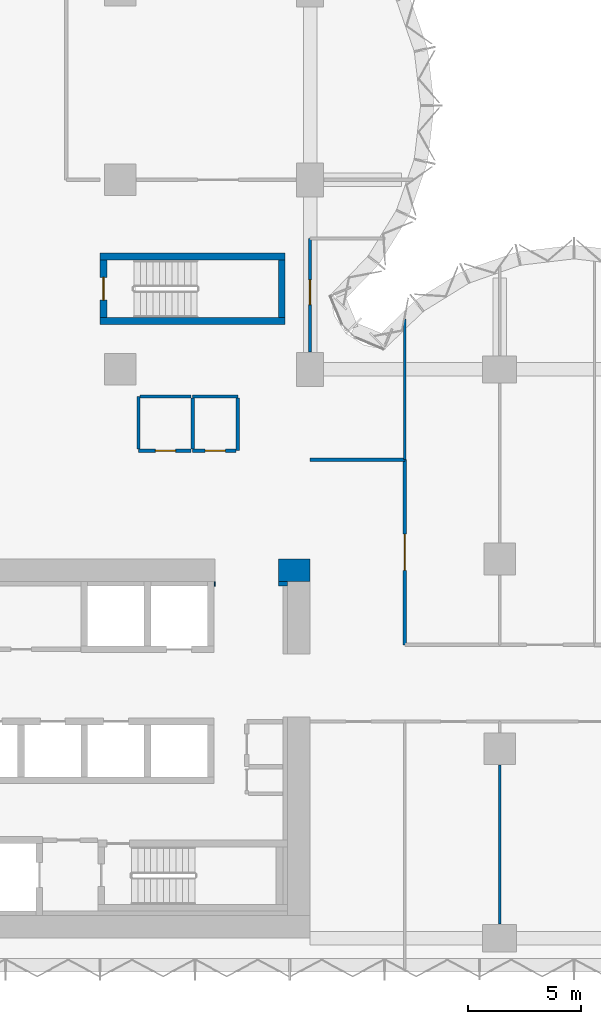
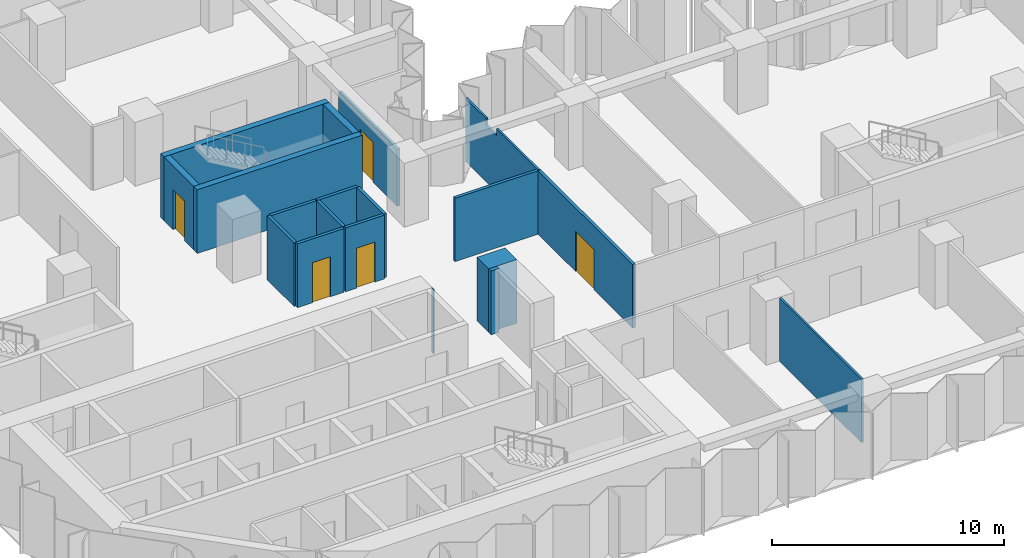
# One storey, part 9 of 15: 19 walls, 5 doors, 5 openings.
"""IFC4 building model written with IfcOpenShell, lengths in metres."""

from ifc_helpers import new_model, si_unit, direction, frame, frame_2d, origin, place, context, subcontext, project, spatial, polyline, rectangle, outline, extrude, material, layer, layer_set, type_object, element, fill, save


model = new_model("IFC4")

# Units and contexts
model_context = context("Model", 3, precision=1e-05, world=origin(), true_north=direction((0.0, 1.0)))
body_context = subcontext(model_context, "Body", "Model", "MODEL_VIEW")
ifc_project = project(units=[si_unit("LENGTHUNIT", "METRE"), si_unit("AREAUNIT", "SQUARE_METRE"), si_unit("VOLUMEUNIT", "CUBIC_METRE"), si_unit("PLANEANGLEUNIT", "RADIAN"), si_unit("MASSUNIT", "GRAM", prefix="KILO")], contexts=[model_context])

# Site, building, storey
site_placement = place(None, origin())
site = spatial("IfcSite", under=ifc_project, at=site_placement, CompositionType="ELEMENT")
building_placement = place(site_placement, origin())
building = spatial("IfcBuilding", under=site, at=building_placement, Name="Brevane Broadcast Tower", CompositionType="ELEMENT")
storey_placement = place(building_placement, frame((0.0, 0.0, 58.10009765625)))
storey = spatial("IfcBuildingStorey", under=building, at=storey_placement, Name="L12", CompositionType="ELEMENT", Elevation=58.10009765625)

# Walls
ifc_material_1 = material(Name="Concrete C32/40", Category="concrete")
ifc_layer_1 = layer(ifc_material_1, 0.199951171875)
ifc_layer_set_1 = layer_set([ifc_layer_1], Name="Core chase wall 200 mm")
wall_type_1 = type_object("IfcWallType", Name="Core chase wall 200 mm", PredefinedType="PARTITIONING", material=ifc_layer_set_1)
wall_1_placement = place(storey_placement, frame((23.800048828125, 15.699951171875, 0.0), z_axis=(0.0, 0.0, 1.0), x_axis=(1.0, 0.0, 0.0)))
element("IfcWall", 1, at=wall_1_placement, inside=storey, type_object=wall_type_1, Name="L12 chase wall LN2", PredefinedType="PARTITIONING", context=body_context, shape_type="SweptSolid", body=[
    extrude(rectangle(XDim=0.39990234375, YDim=0.199951171875, at=frame_2d((0.199951171875, 0.0))), origin(), (0.0, 0.0, 1.0), 3.349853515625),
])
wall_2_placement = place(storey_placement, frame((20.949951171875, 15.699951171875, 0.0), z_axis=(0.0, 0.0, 1.0), x_axis=(1.0, 0.0, 0.0)))
element("IfcWall", 2, at=wall_2_placement, inside=storey, type_object=wall_type_1, Name="L12 chase wall LN1-2-2-2-2", PredefinedType="PARTITIONING", context=body_context, shape_type="SweptSolid", body=[
    extrude(rectangle(XDim=0.050048828125, YDim=0.199951171875, at=frame_2d((0.02490234375, 0.0))), origin(), (0.0, 0.0, 1.0), 3.349853515625),
])
ifc_material_2 = material(Name="Gypsum board on steel studs", Category="steel")
ifc_layer_2 = layer(ifc_material_2, 0.14990234375)
ifc_layer_set_2 = layer_set([ifc_layer_2], Name="Core fire partition 150 mm")
wall_type_2 = type_object("IfcWallType", Name="Core fire partition 150 mm", PredefinedType="PARTITIONING", material=ifc_layer_set_2)
wall_3_placement = place(storey_placement, frame((20.0, 24.0, 0.0), z_axis=(0.0, 0.0, 1.0), x_axis=(1.0, 0.0, 0.0)))
element("IfcWall", 3, at=wall_3_placement, inside=storey, type_object=wall_type_2, Name="L12 partition wall P15", PredefinedType="PARTITIONING", context=body_context, shape_type="SweptSolid", body=[
    extrude(rectangle(XDim=2.0, YDim=0.14990234375, at=frame_2d((1.0, 0.0))), origin(), (0.0, 0.0, 1.0), 3.349853515625),
])
wall_4_placement = place(storey_placement, frame((22.0, 23.925048828125, 0.0), z_axis=(0.0, 0.0, 1.0), x_axis=(0.0, -1.0, 0.0)))
element("IfcWall", 4, at=wall_4_placement, inside=storey, type_object=wall_type_2, Name="L12 partition wall P16", PredefinedType="PARTITIONING", context=body_context, shape_type="SweptSolid", body=[
    extrude(rectangle(XDim=2.324951171875, YDim=0.14990234375, at=frame_2d((1.16259765625, 0.0))), origin(), (0.0, 0.0, 1.0), 3.349853515625),
])

# Wall, opening, door
wall_5_placement = place(storey_placement, frame((21.925048828125, 21.60009765625, 0.0), z_axis=(0.0, 0.0, 1.0), x_axis=(-1.0, 0.0, 0.0)))
wall_5 = element("IfcWall", 5, at=wall_5_placement, inside=storey, type_object=wall_type_2, Name="L12 partition wall P17", PredefinedType="PARTITIONING", context=body_context, shape_type="SweptSolid", body=[
    extrude(rectangle(XDim=1.925048828125, YDim=0.14990234375, at=frame_2d((0.96240234375, 0.0))), origin(), (0.0, 0.0, 1.0), 3.349853515625),
])
opening_1_placement = place(wall_5_placement, frame((0.47509765625, 0.0, 0.0)))
opening_1 = element("IfcOpeningElement", 6, at=opening_1_placement, cuts=wall_5, Name="Opening L12-K24", PredefinedType="OPENING", context=body_context, shape_type="SweptSolid", body=[
    extrude(rectangle(XDim=0.89990234375, YDim=2.10009765625, at=frame_2d((0.449951171875, 1.050048828125))), frame((0.0, 0.0849609375, 0.0), z_axis=(0.0, -1.0, 0.0), x_axis=(1.0, 0.0, 0.0)), (0.0, 0.0, 1.0), 0.169921875),
])
ifc_material_3 = material(Name="Timber", Category="wood")
door_type_1 = type_object("IfcDoorType", Name="Toilet door 900 x 2100", OperationType="SINGLE_SWING_LEFT", PredefinedType="DOOR", material=ifc_material_3)
door_1_placement = place(opening_1_placement, origin())
door_1 = element("IfcDoor", 7, at=door_1_placement, inside=storey, type_object=door_type_1, Name="Door L12-K24", OperationType="SINGLE_SWING_LEFT", OverallHeight=2.10009765625, OverallWidth=0.89990234375, PredefinedType="DOOR", context=body_context, shape_type="SweptSolid", body=[
    extrude(rectangle(XDim=0.89990234375, YDim=2.10009765625, at=frame_2d((0.449951171875, 1.050048828125))), frame((0.0, 0.02490234375, 0.0), z_axis=(0.0, -1.0, 0.0), x_axis=(1.0, 0.0, 0.0)), (0.0, 0.0, 1.0), 0.050048828125),
])
fill(opening_1, door_1)

# Wall
wall_6_placement = place(storey_placement, frame((20.0, 21.675048828125, 0.0), z_axis=(0.0, 0.0, 1.0), x_axis=(0.0, 1.0, 0.0)))
element("IfcWall", 8, at=wall_6_placement, inside=storey, type_object=wall_type_2, Name="L12 partition wall P18", PredefinedType="PARTITIONING", context=body_context, shape_type="SweptSolid", body=[
    extrude(rectangle(XDim=2.25, YDim=0.14990234375, at=frame_2d((1.125, 0.0))), origin(), (0.0, 0.0, 1.0), 3.349853515625),
])

# Wall, opening, door
wall_7_placement = place(storey_placement, frame((19.925048828125, 21.60009765625, 0.0), z_axis=(0.0, 0.0, 1.0), x_axis=(-1.0, 0.0, 0.0)))
wall_7 = element("IfcWall", 9, at=wall_7_placement, inside=storey, type_object=wall_type_2, Name="L12 partition wall P19", PredefinedType="PARTITIONING", context=body_context, shape_type="SweptSolid", body=[
    extrude(rectangle(XDim=2.324951171875, YDim=0.14990234375, at=frame_2d((1.16259765625, 0.0))), origin(), (0.0, 0.0, 1.0), 3.349853515625),
])
opening_2_placement = place(wall_7_placement, frame((0.675048828125, 0.0, 0.0)))
opening_2 = element("IfcOpeningElement", 10, at=opening_2_placement, cuts=wall_7, Name="Opening L12-K25", PredefinedType="OPENING", context=body_context, shape_type="SweptSolid", body=[
    extrude(rectangle(XDim=0.89990234375, YDim=2.10009765625, at=frame_2d((0.449951171875, 1.050048828125))), frame((0.0, 0.0849609375, 0.0), z_axis=(0.0, -1.0, 0.0), x_axis=(1.0, 0.0, 0.0)), (0.0, 0.0, 1.0), 0.169921875),
])
ifc_material_4 = material(Name="Steel", Category="steel")
door_type_2 = type_object("IfcDoorType", Name="Service room door 900 x 2100", OperationType="SINGLE_SWING_LEFT", PredefinedType="DOOR", material=ifc_material_4)
door_2_placement = place(opening_2_placement, origin())
door_2 = element("IfcDoor", 11, at=door_2_placement, inside=storey, type_object=door_type_2, Name="Door L12-K25", OperationType="SINGLE_SWING_RIGHT", OverallHeight=2.10009765625, OverallWidth=0.89990234375, PredefinedType="DOOR", context=body_context, shape_type="SweptSolid", body=[
    extrude(rectangle(XDim=0.89990234375, YDim=2.10009765625, at=frame_2d((0.449951171875, 1.050048828125))), frame((0.0, 0.02490234375, 0.0), z_axis=(0.0, -1.0, 0.0), x_axis=(1.0, 0.0, 0.0)), (0.0, 0.0, 1.0), 0.050048828125),
])
fill(opening_2, door_2)

# Walls
wall_8_placement = place(storey_placement, frame((17.60009765625, 21.675048828125, 0.0), z_axis=(0.0, 0.0, 1.0), x_axis=(0.0, 1.0, 0.0)))
element("IfcWall", 12, at=wall_8_placement, inside=storey, type_object=wall_type_2, Name="L12 partition wall P20", PredefinedType="PARTITIONING", context=body_context, shape_type="SweptSolid", body=[
    extrude(rectangle(XDim=2.324951171875, YDim=0.14990234375, at=frame_2d((1.16259765625, 0.0))), origin(), (0.0, 0.0, 1.0), 3.349853515625),
])
wall_9_placement = place(storey_placement, frame((17.675048828125, 24.0, 0.0), z_axis=(0.0, 0.0, 1.0), x_axis=(1.0, 0.0, 0.0)))
element("IfcWall", 13, at=wall_9_placement, inside=storey, type_object=wall_type_2, Name="L12 partition wall P21", PredefinedType="PARTITIONING", context=body_context, shape_type="SweptSolid", body=[
    extrude(rectangle(XDim=2.25, YDim=0.14990234375, at=frame_2d((1.125, 0.0))), origin(), (0.0, 0.0, 1.0), 3.349853515625),
])
ifc_material_5 = material(Name="Concrete C80/95", Category="concrete")
ifc_layer_3 = layer(ifc_material_5, 1.0)
ifc_layer_set_3 = layer_set([ifc_layer_3], Name="Core wall 1000 mm C80/95")
wall_type_3 = type_object("IfcWallType", Name="Core wall 1000 mm C80/95", PredefinedType="SHEAR", material=ifc_layer_set_3)
wall_10_placement = place(storey_placement, frame((23.800048828125, 16.300048828125, 0.0), z_axis=(0.0, 0.0, 1.0), x_axis=(1.0, 0.0, 0.0)))
element("IfcWall", 14, at=wall_10_placement, inside=storey, type_object=wall_type_3, Name="L12 outer wall WN2", PredefinedType="SHEAR", context=body_context, shape_type="SweptSolid", body=[
    extrude(rectangle(XDim=1.39990234375, YDim=1.0, at=frame_2d((0.699951171875, 0.0))), origin(), (0.0, 0.0, 1.0), 3.349853515625),
])
ifc_layer_4 = layer(ifc_material_5, 0.300048828125)
ifc_layer_set_4 = layer_set([ifc_layer_4], Name="Core wall 300 mm C80/95")
wall_type_4 = type_object("IfcWallType", Name="Core wall 300 mm C80/95", PredefinedType="SHEAR", material=ifc_layer_set_4)
for number, where, z_axis, x_axis, name in (
    (15, (15.89990234375, 27.35009765625, 0.0), (0.0, 0.0, 1.0), (1.0, 0.0, 0.0), "L12 stair wall ST-3-S"),
    (16, (15.89990234375, 30.199951171875, 0.0), (0.0, 0.0, 1.0), (1.0, 0.0, 0.0), "L12 stair wall ST-3-N"),
):
    element("IfcWall", number, at=place(storey_placement, frame(where, z_axis=z_axis, x_axis=x_axis)), inside=storey, type_object=wall_type_4, Name=name, PredefinedType="SHEAR", context=body_context, shape_type="SweptSolid", body=[
        extrude(rectangle(XDim=8.2001953125, YDim=0.300048828125, at=frame_2d((4.10009765625, 0.0))), origin(), (0.0, 0.0, 1.0), 3.349853515625),
    ])

# Wall, opening, door
wall_11_placement = place(storey_placement, frame((16.050048828125, 27.5, 0.0), z_axis=(0.0, 0.0, 1.0), x_axis=(0.0, 1.0, 0.0)))
wall_11 = element("IfcWall", 17, at=wall_11_placement, inside=storey, type_object=wall_type_4, Name="L12 stair wall ST-3-W", PredefinedType="SHEAR", context=body_context, shape_type="SweptSolid", body=[
    extrude(rectangle(XDim=2.550048828125, YDim=0.300048828125, at=frame_2d((1.27490234375, 0.0))), origin(), (0.0, 0.0, 1.0), 3.349853515625),
])
opening_3_placement = place(wall_11_placement, frame((0.77490234375, 0.0, 0.0)))
opening_3 = element("IfcOpeningElement", 18, at=opening_3_placement, cuts=wall_11, Name="Opening L12-K14", PredefinedType="OPENING", context=body_context, shape_type="SweptSolid", body=[
    extrude(rectangle(XDim=1.0, YDim=2.10009765625, at=frame_2d((0.5, 1.050048828125))), frame((0.0, 0.159912109375, 0.0), z_axis=(0.0, -1.0, 0.0), x_axis=(1.0, 0.0, 0.0)), (0.0, 0.0, 1.0), 0.320068359375),
])
door_type_3 = type_object("IfcDoorType", Name="Stair door 1000 x 2100", OperationType="SINGLE_SWING_LEFT", PredefinedType="DOOR", material=ifc_material_4)
door_3_placement = place(opening_3_placement, origin())
door_3 = element("IfcDoor", 19, at=door_3_placement, inside=storey, type_object=door_type_3, Name="Door L12-K14", OperationType="SINGLE_SWING_LEFT", OverallHeight=2.10009765625, OverallWidth=1.0, PredefinedType="DOOR", context=body_context, shape_type="SweptSolid", body=[
    extrude(rectangle(XDim=1.0, YDim=2.10009765625, at=frame_2d((0.5, 1.050048828125))), frame((0.0, 0.02490234375, 0.0), z_axis=(0.0, -1.0, 0.0), x_axis=(1.0, 0.0, 0.0)), (0.0, 0.0, 1.0), 0.050048828125),
])
fill(opening_3, door_3)

# Walls
wall_12_placement = place(storey_placement, frame((23.949951171875, 27.5, 0.0), z_axis=(0.0, 0.0, 1.0), x_axis=(0.0, 1.0, 0.0)))
element("IfcWall", 20, at=wall_12_placement, inside=storey, type_object=wall_type_4, Name="L12 stair wall ST-3-E", PredefinedType="SHEAR", context=body_context, shape_type="SweptSolid", body=[
    extrude(rectangle(XDim=2.550048828125, YDim=0.300048828125, at=frame_2d((1.27490234375, 0.0))), origin(), (0.0, 0.0, 1.0), 3.349853515625),
])
ifc_material_6 = material(Name="Gypsum board partition")
ifc_layer_5 = layer(ifc_material_6, 0.10009765625)
ifc_layer_set_5 = layer_set([ifc_layer_5], Name="PARTITION 100 STUD")
wall_type_5 = type_object("IfcWallType", Name="PARTITION 100 STUD", PredefinedType="PARTITIONING", material=ifc_layer_set_5)
wall_13_placement = place(storey_placement, frame((29.39990234375, 27.428955078125, 0.0), z_axis=(0.0, 0.0, 1.0), x_axis=(0.0, -1.0, 0.0)))
element("IfcWall", 21, at=wall_13_placement, inside=storey, type_object=wall_type_5, Name="Partition G03-004", PredefinedType="PARTITIONING", context=body_context, shape_type="SweptSolid", body=[
    extrude(outline(polyline([(0.0, 0.0), (6.22900390625, 0.0), (6.22900390625, 3.329833984375), (2.678955078125, 3.329833984375), (2.677001953125, 2.97998046875), (1.781005859375, 2.97998046875), (1.779052734375, 3.329833984375), (0.154052734375, 3.329833984375), (0.0, 3.329833984375), (0.0, 0.0)])), frame((0.0, 0.050048828125, 0.0), z_axis=(0.0, -1.0, 0.0), x_axis=(1.0, 0.0, 0.0)), (0.0, 0.0, 1.0), 0.10009765625),
])
wall_14_placement = place(storey_placement, frame((33.60009765625, 7.679931640625, 0.0), z_axis=(0.0, 0.0, 1.0), x_axis=(0.0, -1.0, 0.0)))
element("IfcWall", 22, at=wall_14_placement, inside=storey, type_object=wall_type_5, Name="Partition G03-022", PredefinedType="PARTITIONING", context=body_context, shape_type="SweptSolid", body=[
    extrude(rectangle(XDim=7.059814453125, YDim=0.10009765625, at=frame_2d((3.52978515625, 0.0))), origin(), (0.0, 0.0, 1.0), 3.329833984375),
])
ifc_layer_6 = layer(ifc_material_6, 0.14990234375)
ifc_layer_set_6 = layer_set([ifc_layer_6], Name="PARTITION 150 EI 60")
wall_type_6 = type_object("IfcWallType", Name="PARTITION 150 EI 60", PredefinedType="PARTITIONING", material=ifc_layer_set_6)
wall_15_placement = place(storey_placement, frame((25.199951171875, 21.199951171875, 0.0), z_axis=(0.0, 0.0, 1.0), x_axis=(1.0, 0.0, 0.0)))
element("IfcWall", 23, at=wall_15_placement, inside=storey, type_object=wall_type_6, Name="Partition G03-001", PredefinedType="PARTITIONING", context=body_context, shape_type="SweptSolid", body=[
    extrude(rectangle(XDim=4.199951171875, YDim=0.14990234375, at=frame_2d((2.10009765625, 0.0))), origin(), (0.0, 0.0, 1.0), 3.329833984375),
])

# Wall, opening, door
wall_16_placement = place(storey_placement, frame((29.39990234375, 21.199951171875, 0.0), z_axis=(0.0, 0.0, 1.0), x_axis=(0.0, -1.0, 0.0)))
wall_16 = element("IfcWall", 24, at=wall_16_placement, inside=storey, type_object=wall_type_6, Name="Partition G03-003", PredefinedType="PARTITIONING", context=body_context, shape_type="SweptSolid", body=[
    extrude(rectangle(XDim=8.199951171875, YDim=0.14990234375, at=frame_2d((4.10009765625, 0.0))), origin(), (0.0, 0.0, 1.0), 3.329833984375),
])
opening_4_placement = place(wall_16_placement, frame((3.300048828125, 0.0, 0.0)))
opening_4 = element("IfcOpeningElement", 25, at=opening_4_placement, cuts=wall_16, Name="Opening D09-010", PredefinedType="OPENING", context=body_context, shape_type="SweptSolid", body=[
    extrude(rectangle(XDim=1.60009765625, YDim=2.10009765625, at=frame_2d((0.800048828125, 1.050048828125))), frame((0.0, 0.0849609375, 0.0), z_axis=(0.0, -1.0, 0.0), x_axis=(1.0, 0.0, 0.0)), (0.0, 0.0, 1.0), 0.169921875),
])
ifc_material_7 = material(Name="Fire-rated timber door leaf", Category="wood")
door_type_4 = type_object("IfcDoorType", Name="DOOR DOUBLE 1600 FD30S", OperationType="DOUBLE_DOOR_SINGLE_SWING", PredefinedType="DOOR", material=ifc_material_7)
door_4_placement = place(opening_4_placement, origin())
door_4 = element("IfcDoor", 26, at=door_4_placement, inside=storey, type_object=door_type_4, Name="Door D09-010", OperationType="DOUBLE_DOOR_SINGLE_SWING", OverallHeight=2.10009765625, OverallWidth=1.60009765625, PredefinedType="DOOR", context=body_context, shape_type="SweptSolid", body=[
    extrude(rectangle(XDim=1.60009765625, YDim=2.10009765625, at=frame_2d((0.800048828125, 1.050048828125))), frame((0.0, 0.02490234375, 0.0), z_axis=(0.0, -1.0, 0.0), x_axis=(1.0, 0.0, 0.0)), (0.0, 0.0, 1.0), 0.050048828125),
])
fill(opening_4, door_4)

wall_17_placement = place(storey_placement, frame((25.199951171875, 31.0, 0.0), z_axis=(0.0, 0.0, 1.0), x_axis=(0.0, -1.0, 0.0)))
wall_17 = element("IfcWall", 27, at=wall_17_placement, inside=storey, type_object=wall_type_6, Name="Partition G03-005", PredefinedType="PARTITIONING", context=body_context, shape_type="SweptSolid", body=[
    extrude(outline(polyline([(0.0, 0.0), (5.030029296875, 0.0), (5.030029296875, 2.97998046875), (0.0, 2.97998046875), (0.0, 0.0)])), frame((0.0, 0.074951171875, 0.0), z_axis=(0.0, -1.0, 0.0), x_axis=(1.0, 0.0, 0.0)), (0.0, 0.0, 1.0), 0.14990234375),
])
opening_5_placement = place(wall_17_placement, frame((1.830078125, 0.0, 0.0)))
opening_5 = element("IfcOpeningElement", 28, at=opening_5_placement, cuts=wall_17, Name="Opening D09-001", PredefinedType="OPENING", context=body_context, shape_type="SweptSolid", body=[
    extrude(rectangle(XDim=1.10009765625, YDim=2.10009765625, at=frame_2d((0.550048828125, 1.050048828125))), frame((0.0, 0.0849609375, 0.0), z_axis=(0.0, -1.0, 0.0), x_axis=(1.0, 0.0, 0.0)), (0.0, 0.0, 1.0), 0.169921875),
])
door_type_5 = type_object("IfcDoorType", Name="DOOR SINGLE 1100 FD30S", OperationType="SINGLE_SWING_LEFT", PredefinedType="DOOR", material=ifc_material_7)
door_5_placement = place(opening_5_placement, origin())
door_5 = element("IfcDoor", 29, at=door_5_placement, inside=storey, type_object=door_type_5, Name="Door D09-001", OperationType="SINGLE_SWING_RIGHT", OverallHeight=2.10009765625, OverallWidth=1.10009765625, PredefinedType="DOOR", context=body_context, shape_type="SweptSolid", body=[
    extrude(rectangle(XDim=1.10009765625, YDim=2.10009765625, at=frame_2d((0.550048828125, 1.050048828125))), frame((0.0, 0.02490234375, 0.0), z_axis=(0.0, -1.0, 0.0), x_axis=(1.0, 0.0, 0.0)), (0.0, 0.0, 1.0), 0.050048828125),
])
fill(opening_5, door_5)

save(model, "model.ifc")
